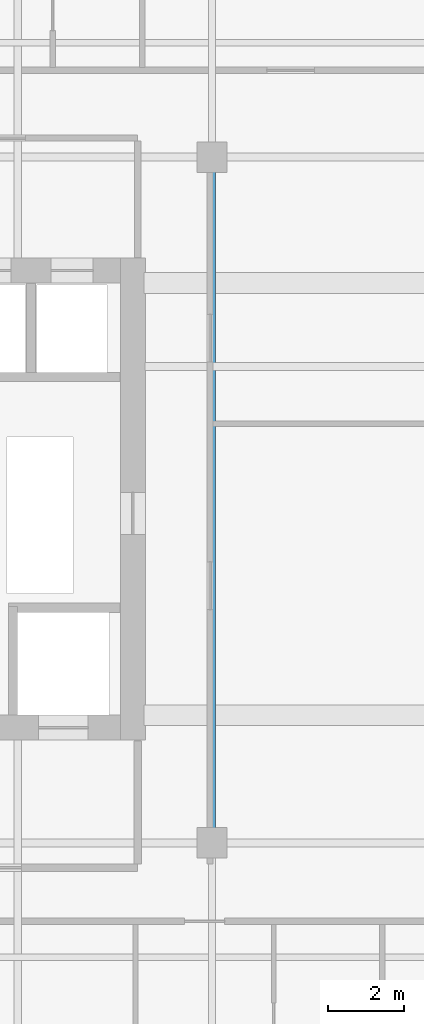
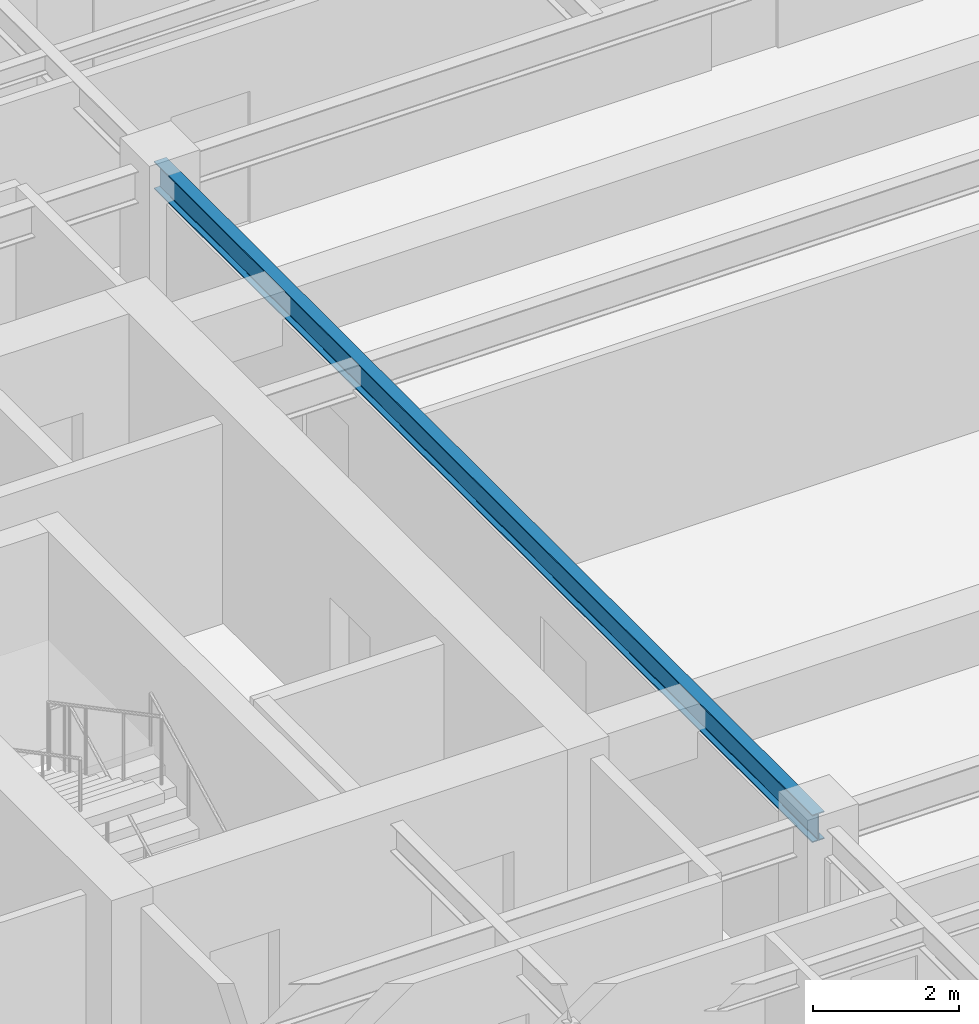
# One storey, part 6 of 23: 1 beam.
"""IFC4 building model written with IfcOpenShell, lengths in metres."""

from ifc_helpers import new_model, si_unit, direction, frame, origin, origin_2d, place, context, subcontext, project, spatial, i_section, extrude, source, transform, mapped, material, material_profile, profile_set, type_object, element, save


model = new_model("IFC4")

# Units and contexts
model_context = context("Model", 3, precision=1e-05, world=origin(), true_north=direction((0.0, 1.0)))
body_context = subcontext(model_context, "Body", "Model", "MODEL_VIEW")
ifc_project = project(units=[si_unit("LENGTHUNIT", "METRE"), si_unit("AREAUNIT", "SQUARE_METRE"), si_unit("VOLUMEUNIT", "CUBIC_METRE"), si_unit("PLANEANGLEUNIT", "RADIAN"), si_unit("MASSUNIT", "GRAM", prefix="KILO")], contexts=[model_context])

# Site, building, storey
site_placement = place(None, origin())
site = spatial("IfcSite", under=ifc_project, at=site_placement, CompositionType="ELEMENT")
building_placement = place(site_placement, origin())
building = spatial("IfcBuilding", under=site, at=building_placement, Name="Khoralis Quay Care Tower", CompositionType="ELEMENT")
storey_placement = place(building_placement, frame((0.0, 0.0, 173.699951171875)))
storey = spatial("IfcBuildingStorey", under=building, at=storey_placement, Name="L45", CompositionType="ELEMENT", Elevation=173.699951171875)

# Beam
ifc_material = material(Name="Steel S355", Category="steel")
ifc_material_profile = material_profile(ifc_material, i_section(OverallWidth=0.19189453125, OverallDepth=0.462890625, WebThickness=0.010498046875, FlangeThickness=0.017578125, FilletRadius=0.014892578125, at=origin_2d()), Name="Steel S355")
ifc_profile_set = profile_set([ifc_material_profile], Name="Steel S355")
beam_type = type_object("IfcBeamType", Name="BM-W460X89", PredefinedType="BEAM", material=ifc_profile_set)
shared_shape = source(origin(), body_context, "Body", "SweptSolid", [
    extrude(i_section(OverallWidth=0.19189453125, OverallDepth=0.462890625, WebThickness=0.010498046875, FlangeThickness=0.017578125, FilletRadius=0.014892578125, at=origin_2d()), origin(), (0.0, 0.0, 1.0), 18.0),
])
beam_placement = place(storey_placement, frame((17.10009765625, 12.0, 3.108642578125), z_axis=(0.0, 1.0, 0.0), x_axis=(-1.0, 0.0, 0.0)))
element("IfcBeam", 1, at=beam_placement, inside=storey, type_object=beam_type, Name="BM-TGSW-L45", PredefinedType="BEAM", context=body_context, shape_type="MappedRepresentation", body=[
    mapped(shared_shape, transform((0.0, 0.0, 0.0), scale=1.0)),
])

save(model, "model.ifc")
